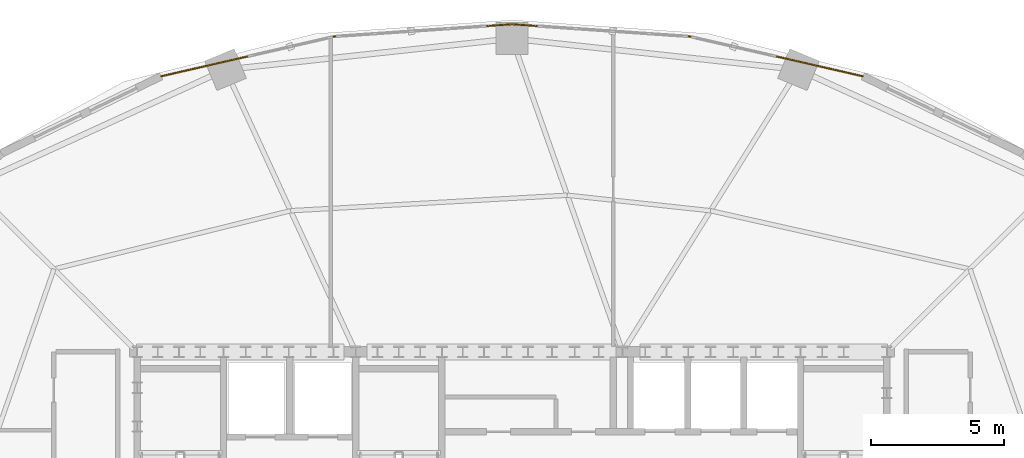
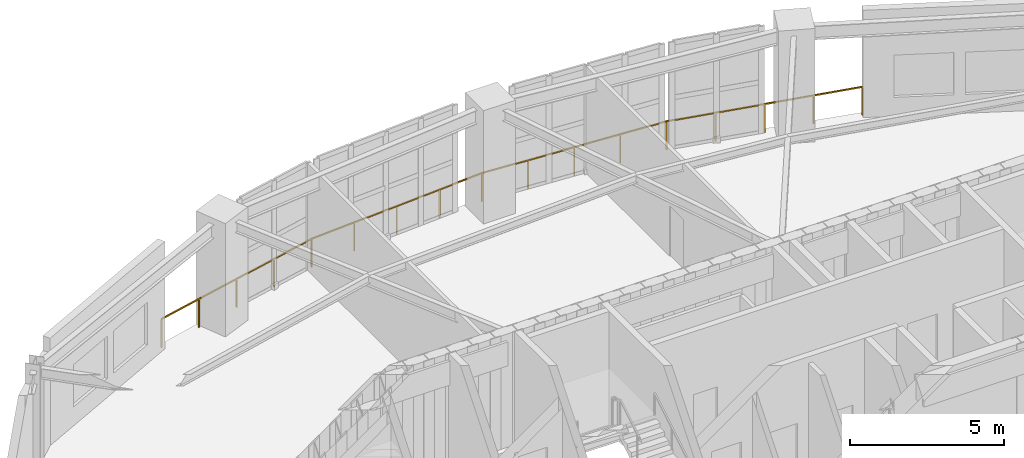
# One storey, part 16 of 16: 4 railings.
"""IFC4 building model written with IfcOpenShell, lengths in metres."""

from ifc_helpers import new_model, si_unit, direction, frame, origin, origin_2d, place, context, subcontext, project, spatial, rectangle, extrude, material, type_object, element, save


model = new_model("IFC4")

# Units and contexts
model_context = context("Model", 3, precision=1e-05, world=origin(), true_north=direction((0.0, 1.0)))
body_context = subcontext(model_context, "Body", "Model", "MODEL_VIEW")
ifc_project = project(units=[si_unit("LENGTHUNIT", "METRE"), si_unit("AREAUNIT", "SQUARE_METRE"), si_unit("VOLUMEUNIT", "CUBIC_METRE"), si_unit("PLANEANGLEUNIT", "RADIAN"), si_unit("MASSUNIT", "GRAM", prefix="KILO")], contexts=[model_context])

# Site, building, storey
site_placement = place(None, origin())
site = spatial("IfcSite", under=ifc_project, at=site_placement, CompositionType="ELEMENT")
building_placement = place(site_placement, origin())
building = spatial("IfcBuilding", under=site, at=building_placement, Name="Haldorwick Loom Tower", CompositionType="ELEMENT")
storey_placement = place(building_placement, frame((0.0, 0.0, 200.35009765625)))
storey = spatial("IfcBuildingStorey", under=building, at=storey_placement, Name="L54", CompositionType="ELEMENT", Elevation=200.35009765625)

# Railings
ifc_material = material(Name="Galvanized Steel CSA G40.21 350W", Category="steel")
railing_type = type_object("IfcRailingType", Name="ARC-RLG-BAL115", PredefinedType="BALUSTRADE", material=ifc_material)
railing_1_placement = place(storey_placement, frame((49.17138671875, 45.890869140625, 0.0)))
element("IfcRailing", 1, at=railing_1_placement, inside=storey, type_object=railing_type, Name="L54 Curtain-Wall Sill Safety Guardrail 5", PredefinedType="BALUSTRADE", context=body_context, shape_type="SweptSolid", body=[
    extrude(rectangle(XDim=0.048095703125, YDim=0.048095703125, at=origin_2d()), frame((0.0, 0.0, 1.1259765625), z_axis=(-0.974557343474, 0.224138315065, 0.0), x_axis=(-0.224138315065, -0.974557343474, 0.0)), (0.0, 0.0, 1.0), 6.676025390625),
    extrude(rectangle(XDim=0.0419921875, YDim=0.0419921875, at=origin_2d()), origin(), (0.0, 0.0, 1.0), 1.101806640625),
    extrude(rectangle(XDim=0.0419921875, YDim=0.0419921875, at=origin_2d()), frame((-1.62646484375, 0.3740234375, 0.0)), (0.0, 0.0, 1.0), 1.101806640625),
    extrude(rectangle(XDim=0.0419921875, YDim=0.0419921875, at=origin_2d()), frame((-3.2529296875, 0.748046875, 0.0)), (0.0, 0.0, 1.0), 1.101806640625),
    extrude(rectangle(XDim=0.0419921875, YDim=0.0419921875, at=origin_2d()), frame((-4.879638671875, 1.122314453125, 0.0)), (0.0, 0.0, 1.0), 1.101806640625),
    extrude(rectangle(XDim=0.0419921875, YDim=0.0419921875, at=origin_2d()), frame((-6.506103515625, 1.496337890625, 0.0)), (0.0, 0.0, 1.0), 1.101806640625),
])
railing_2_placement = place(storey_placement, frame((42.665283203125, 47.38720703125, 0.0)))
element("IfcRailing", 2, at=railing_2_placement, inside=storey, type_object=railing_type, Name="L54 Curtain-Wall Sill Safety Guardrail 6", PredefinedType="BALUSTRADE", context=body_context, shape_type="SweptSolid", body=[
    extrude(rectangle(XDim=0.048095703125, YDim=0.048095703125, at=origin_2d()), frame((0.0, 0.0, 1.1259765625), z_axis=(-0.99764992135, 0.068517402386, 0.0), x_axis=(-0.068517402386, -0.99764992135, 0.0)), (0.0, 0.0, 1.0), 6.680908203125),
    extrude(rectangle(XDim=0.0419921875, YDim=0.0419921875, at=origin_2d()), origin(), (0.0, 0.0, 1.0), 1.101806640625),
    extrude(rectangle(XDim=0.0419921875, YDim=0.0419921875, at=origin_2d()), frame((-1.666259765625, 0.114501953125, 0.0)), (0.0, 0.0, 1.0), 1.101806640625),
    extrude(rectangle(XDim=0.0419921875, YDim=0.0419921875, at=origin_2d()), frame((-3.33251953125, 0.22900390625, 0.0)), (0.0, 0.0, 1.0), 1.101806640625),
    extrude(rectangle(XDim=0.0419921875, YDim=0.0419921875, at=origin_2d()), frame((-4.9990234375, 0.34326171875, 0.0)), (0.0, 0.0, 1.0), 1.101806640625),
    extrude(rectangle(XDim=0.0419921875, YDim=0.0419921875, at=origin_2d()), frame((-6.665283203125, 0.457763671875, 0.0)), (0.0, 0.0, 1.0), 1.101806640625),
])
railing_3_placement = place(storey_placement, frame((36.0, 47.844970703125, 0.0)))
element("IfcRailing", 3, at=railing_3_placement, inside=storey, type_object=railing_type, Name="L54 Curtain-Wall Sill Safety Guardrail 7", PredefinedType="BALUSTRADE", context=body_context, shape_type="SweptSolid", body=[
    extrude(rectangle(XDim=0.048095703125, YDim=0.048095703125, at=origin_2d()), frame((0.0, 0.0, 1.1259765625), z_axis=(-0.99764992135, -0.068517402386, 0.0), x_axis=(0.068517402386, -0.99764992135, 0.0)), (0.0, 0.0, 1.0), 6.680908203125),
    extrude(rectangle(XDim=0.0419921875, YDim=0.0419921875, at=origin_2d()), origin(), (0.0, 0.0, 1.0), 1.101806640625),
    extrude(rectangle(XDim=0.0419921875, YDim=0.0419921875, at=origin_2d()), frame((-1.666259765625, -0.114501953125, 0.0)), (0.0, 0.0, 1.0), 1.101806640625),
    extrude(rectangle(XDim=0.0419921875, YDim=0.0419921875, at=origin_2d()), frame((-3.33251953125, -0.22900390625, 0.0)), (0.0, 0.0, 1.0), 1.101806640625),
    extrude(rectangle(XDim=0.0419921875, YDim=0.0419921875, at=origin_2d()), frame((-4.9990234375, -0.34326171875, 0.0)), (0.0, 0.0, 1.0), 1.101806640625),
    extrude(rectangle(XDim=0.0419921875, YDim=0.0419921875, at=origin_2d()), frame((-6.665283203125, -0.457763671875, 0.0)), (0.0, 0.0, 1.0), 1.101806640625),
])
railing_4_placement = place(storey_placement, frame((29.334716796875, 47.38720703125, 0.0)))
element("IfcRailing", 4, at=railing_4_placement, inside=storey, type_object=railing_type, Name="L54 Curtain-Wall Sill Safety Guardrail 8", PredefinedType="BALUSTRADE", context=body_context, shape_type="SweptSolid", body=[
    extrude(rectangle(XDim=0.048095703125, YDim=0.048095703125, at=origin_2d()), frame((0.0, 0.0, 1.1259765625), z_axis=(-0.974557343474, -0.224138315065, 0.0), x_axis=(0.224138315065, -0.974557343474, 0.0)), (0.0, 0.0, 1.0), 6.676025390625),
    extrude(rectangle(XDim=0.0419921875, YDim=0.0419921875, at=origin_2d()), origin(), (0.0, 0.0, 1.0), 1.101806640625),
    extrude(rectangle(XDim=0.0419921875, YDim=0.0419921875, at=origin_2d()), frame((-1.62646484375, -0.3740234375, 0.0)), (0.0, 0.0, 1.0), 1.101806640625),
    extrude(rectangle(XDim=0.0419921875, YDim=0.0419921875, at=origin_2d()), frame((-3.2529296875, -0.748046875, 0.0)), (0.0, 0.0, 1.0), 1.101806640625),
    extrude(rectangle(XDim=0.0419921875, YDim=0.0419921875, at=origin_2d()), frame((-4.879638671875, -1.122314453125, 0.0)), (0.0, 0.0, 1.0), 1.101806640625),
    extrude(rectangle(XDim=0.0419921875, YDim=0.0419921875, at=origin_2d()), frame((-6.506103515625, -1.496337890625, 0.0)), (0.0, 0.0, 1.0), 1.101806640625),
])

save(model, "model.ifc")
